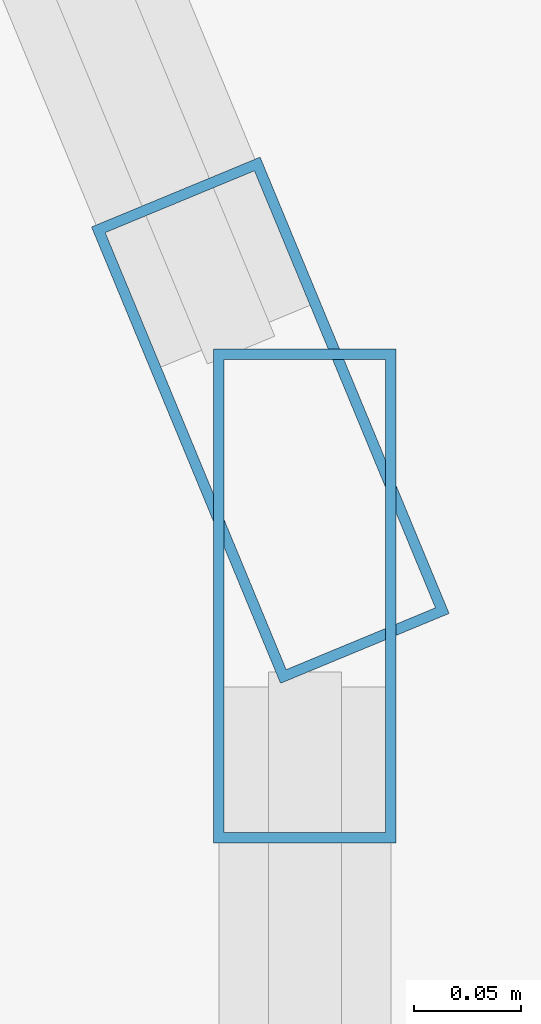
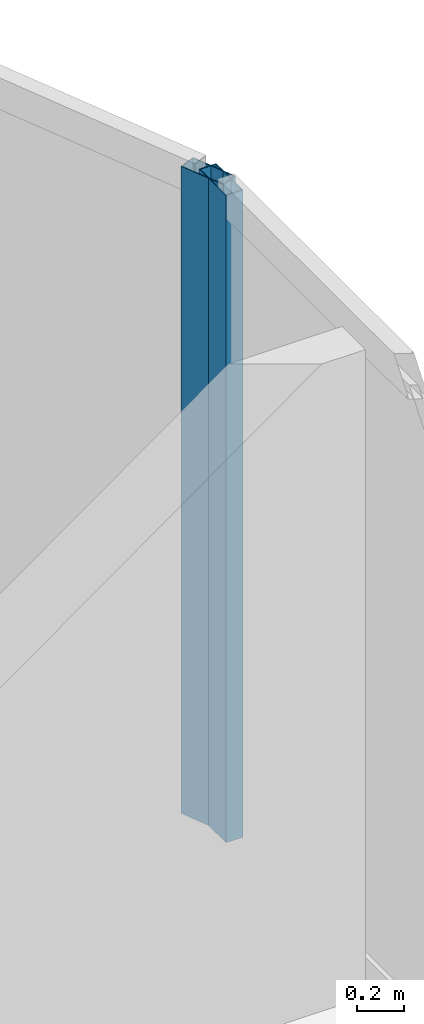
# One storey, part 8 of 15: 2 members, 2 elements without a shape of their own.
"""IFC4 building model written with IfcOpenShell, lengths in metres."""

from ifc_helpers import new_model, si_unit, direction, frame, origin, origin_2d, place, context, subcontext, project, spatial, hollow_rectangle, extrude, source, transform, mapped, material, layer, layer_set, material_profile, profile_set, type_object, element, aggregate, save


model = new_model("IFC4")

# Units and contexts
model_context = context("Model", 3, precision=1e-05, world=origin(), true_north=direction((0.0, 1.0)))
body_context = subcontext(model_context, "Body", "Model", "MODEL_VIEW")
ifc_project = project(units=[si_unit("LENGTHUNIT", "METRE"), si_unit("AREAUNIT", "SQUARE_METRE"), si_unit("VOLUMEUNIT", "CUBIC_METRE"), si_unit("PLANEANGLEUNIT", "RADIAN"), si_unit("MASSUNIT", "GRAM", prefix="KILO")], contexts=[model_context])

# Site, building, storey
site_placement = place(None, origin())
site = spatial("IfcSite", under=ifc_project, at=site_placement, CompositionType="ELEMENT")
building_placement = place(site_placement, origin())
building = spatial("IfcBuilding", under=site, at=building_placement, Name="Kolveth Station Tower", CompositionType="ELEMENT")
storey_placement = place(building_placement, frame((0.0, 0.0, 271.300048828125)))
storey = spatial("IfcBuildingStorey", under=building, at=storey_placement, Name="L78", CompositionType="ELEMENT", Elevation=271.300048828125)

# Curtain wall, member
ifc_material_1 = material(Name="Black anodized aluminium 6063-T6 and dark crown glass", Category="aluminium")
ifc_layer = layer(ifc_material_1, 0.169921875)
ifc_layer_set = layer_set([ifc_layer], Name="Black anodized aluminium 6063-T6 and dark crown glass")
curtain_wall_type = type_object("IfcCurtainWallType", Name="CurtainWall_CW-CR", PredefinedType="NOTDEFINED", material=ifc_layer_set)
curtain_wall_1_placement = place(storey_placement, origin())
curtain_wall_1 = element("IfcCurtainWall", 1, at=curtain_wall_1_placement, inside=storey, type_object=curtain_wall_type, Name="L78 Stepped Crown Curtain Wall 3", PredefinedType="NOTDEFINED")
ifc_material_2 = material(Name="Black anodized aluminium 6063-T6", Category="aluminium")
ifc_material_profile = material_profile(ifc_material_2, hollow_rectangle(XDim=0.0849609375, YDim=0.22998046875, WallThickness=0.0048828125, at=origin_2d()), Name="ALU-85x230x5")
ifc_profile_set = profile_set([ifc_material_profile], Name="Black anodized aluminium 6063-T6")
member_type = type_object("IfcMemberType", Name="Mullion_ML-CR", PredefinedType="MULLION", material=ifc_profile_set)
shared_shape = source(origin(), body_context, "Body", "SweptSolid", [
    extrude(hollow_rectangle(XDim=0.0849609375, YDim=0.22998046875, WallThickness=0.0048828125, at=origin_2d()), origin(), (0.0, 0.0, 1.0), 3.3798828125),
])
member_1_placement = place(storey_placement, frame((41.64990234375, 32.257568359375, 0.0), z_axis=(0.0, 0.0, 1.0), x_axis=(-1.0, 0.0, 0.0)))
member_1 = element("IfcMember", 2, at=member_1_placement, type_object=member_type, Name="CW-CR mullion 2", PredefinedType="MULLION", context=body_context, shape_type="MappedRepresentation", body=[
    mapped(shared_shape, transform((0.0, 0.0, 0.0), x_axis=(1.0, 0.0, 0.0), y_axis=(0.0, 1.0, 0.0), z_axis=(0.0, 0.0, 1.0), scale=1.0)),
])
aggregate(curtain_wall_1, [member_1])

curtain_wall_2_placement = place(storey_placement, origin())
curtain_wall_2 = element("IfcCurtainWall", 3, at=curtain_wall_2_placement, inside=storey, type_object=curtain_wall_type, Name="L78 Stepped Crown Curtain Wall 4", PredefinedType="NOTDEFINED")
member_2_placement = place(storey_placement, frame((41.6337890625, 32.33935546875, 0.0), z_axis=(0.0, 0.0, 1.0), x_axis=(-0.923890001426, -0.382658157192, 0.0)))
member_2 = element("IfcMember", 4, at=member_2_placement, type_object=member_type, Name="CW-CR mullion 1", PredefinedType="MULLION", context=body_context, shape_type="MappedRepresentation", body=[
    mapped(shared_shape, transform((0.0, 0.0, 0.0), x_axis=(1.0, 0.0, 0.0), y_axis=(0.0, 1.0, 0.0), z_axis=(0.0, 0.0, 1.0), scale=1.0)),
])
aggregate(curtain_wall_2, [member_2])

save(model, "model.ifc")
